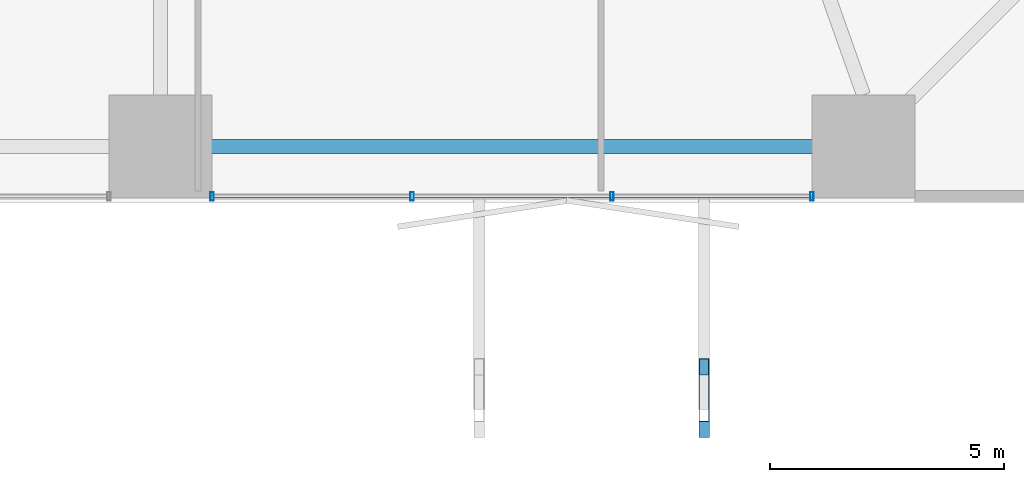
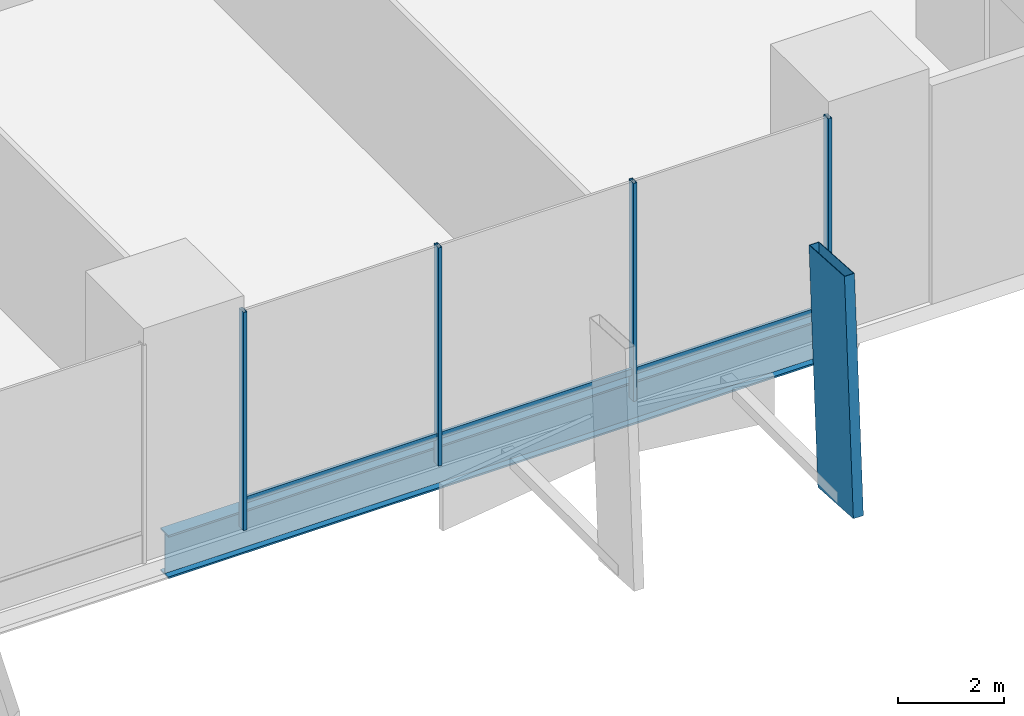
# One storey, part 6 of 24: 8 members, 1 beam, 1 element without a shape of its own.
"""IFC4 building model written with IfcOpenShell, lengths in metres."""

import ifcopenshell
import ifcopenshell.guid

model = None  # the IFC model being written
_history = None  # IfcOwnerHistory: only IFC2X3 demands one
_inside = {}  # id of a spatial element -> (the spatial element, [elements in it])
_under = {}  # id of a project, library or spatial element -> (it, [spatial elements below it])
_declared = {}  # id of a project -> (the project, [libraries it declares])
_typed = {}  # id of a type object -> (the type object, [elements of that type])
_made_of = {}  # id of a material, layer set ... -> (it, [elements and type objects made of it])


def new_model(schema):
    """Start an empty IFC model of exactly this schema.

    Asked for "IFC4X3", IfcOpenShell would pick the latest addendum, in which some entities
    have other attributes; the version numbers below select the first issue.
    IFC2X3 requires an IfcOwnerHistory on every rooted entity: one is made here for all.
    """
    global model, _history
    if schema == "IFC4X3":
        model = ifcopenshell.file(schema_version=(4, 3, 0, 0))
    else:
        model = ifcopenshell.file(schema=schema)
    _inside.clear()
    _under.clear()
    _declared.clear()
    _typed.clear()
    _made_of.clear()
    _history = None
    if model.schema == "IFC2X3":
        org = make("IfcOrganization", Name="unknown")
        user = make(
            "IfcPersonAndOrganization",
            ThePerson=make("IfcPerson", FamilyName="unknown"),
            TheOrganization=org,
        )
        app = make(
            "IfcApplication",
            ApplicationDeveloper=org,
            Version="unknown",
            ApplicationFullName="unknown",
            ApplicationIdentifier="unknown",
        )
        _history = make(
            "IfcOwnerHistory",
            OwningUser=user,
            OwningApplication=app,
            ChangeAction="ADDED",
            CreationDate=0,
        )
    return model


def make(cls, **values):
    """One entity of the class cls with the attributes given. An attribute that is None is left unset."""
    return model.create_entity(
        cls, **{name: value for name, value in values.items() if value is not None}
    )


def rooted(cls, **values):
    """An entity with a GlobalId (a new one), such as an element, a storey or a relation."""
    return make(cls, GlobalId=ifcopenshell.guid.new(), OwnerHistory=_history, **values)


def si_unit(unit_type, name, prefix=None):
    """IfcSIUnit, for example si_unit("LENGTHUNIT", "METRE", prefix="MILLI")."""
    return make("IfcSIUnit", UnitType=unit_type, Prefix=prefix, Name=name)


def assignment(units):
    """IfcUnitAssignment: the units of a project."""
    return None if units is None else make("IfcUnitAssignment", Units=units)


def point(xyz):
    """IfcCartesianPoint."""
    return None if xyz is None else make("IfcCartesianPoint", Coordinates=xyz)


def direction(xyz):
    """IfcDirection."""
    return None if xyz is None else make("IfcDirection", DirectionRatios=xyz)


def frame(location, z_axis=None, x_axis=None):
    """IfcAxis2Placement3D, a coordinate frame: its origin and axes. An axis left out is left unset."""
    return make(
        "IfcAxis2Placement3D",
        Location=point(location),
        Axis=direction(z_axis),
        RefDirection=direction(x_axis),
    )


def frame_2d(location, x_axis=None):
    """IfcAxis2Placement2D, a coordinate frame in the plane: its origin and x axis."""
    return make(
        "IfcAxis2Placement2D", Location=point(location), RefDirection=direction(x_axis)
    )


def origin():
    """The frame at (0, 0, 0) with its axes left unset."""
    return frame((0.0, 0.0, 0.0))


def origin_2d():
    """The frame at (0, 0) in the plane with its x axis left unset."""
    return frame_2d((0.0, 0.0))


def place(relative_to, where):
    """IfcLocalPlacement: puts the frame where relative to a parent placement (None: the world)."""
    return make(
        "IfcLocalPlacement", PlacementRelTo=relative_to, RelativePlacement=where
    )


def context(
    kind, dimensions, precision=None, world=None, true_north=None, identifier=None
):
    """IfcGeometricRepresentationContext, for example the 3D "Model" context."""
    return make(
        "IfcGeometricRepresentationContext",
        ContextIdentifier=identifier,
        ContextType=kind,
        CoordinateSpaceDimension=dimensions,
        Precision=precision,
        WorldCoordinateSystem=world,
        TrueNorth=true_north,
    )


def subcontext(parent, identifier, kind, view, scale=None):
    """IfcGeometricRepresentationSubContext, for example "Body" below "Model"."""
    return make(
        "IfcGeometricRepresentationSubContext",
        ContextIdentifier=identifier,
        ContextType=kind,
        ParentContext=parent,
        TargetScale=scale,
        TargetView=view,
    )


def project(units=None, contexts=None):
    """IfcProject with its units and contexts."""
    return rooted(
        "IfcProject",
        Name="project",
        RepresentationContexts=contexts,
        UnitsInContext=assignment(units),
    )


def spatial(cls, under=None, at=None, **own):
    """A site, building, storey or space (cls), placed at a placement, below another one or the project."""
    s = rooted(cls, ObjectPlacement=at, **own)
    if under is not None:
        _under.setdefault(under.id(), (under, []))[1].append(s)
    return s


def profile(cls, at=None, kind="AREA", **sizes):
    """A parametric profile (cls). Its sizes go by their IFC names, for example OverallWidth=200.0."""
    return make(cls, ProfileType=kind, Position=at, **sizes)


def hollow_rectangle(**sizes):
    """IfcRectangleHollowProfileDef."""
    return profile("IfcRectangleHollowProfileDef", **sizes)


def i_section(**sizes):
    """IfcIShapeProfileDef."""
    return profile("IfcIShapeProfileDef", **sizes)


def extrude(swept, where, along, depth):
    """IfcExtrudedAreaSolid: the profile swept, set in the frame where, extruded along a direction by depth."""
    return make(
        "IfcExtrudedAreaSolid",
        SweptArea=swept,
        Position=where,
        ExtrudedDirection=direction(along),
        Depth=depth,
    )


def shape(context_of_items, identifier, shape_type, items):
    """IfcShapeRepresentation: the items that make up one representation, for example the "Body"."""
    return make(
        "IfcShapeRepresentation",
        ContextOfItems=context_of_items,
        RepresentationIdentifier=identifier,
        RepresentationType=shape_type,
        Items=items,
    )


def material(Name=None, Category=None):
    """IfcMaterial."""
    return make("IfcMaterial", Name=Name, Category=Category)


def layer(
    of_material, thickness, ventilated=None, Name=None, Category=None, Priority=None
):
    """IfcMaterialLayer: one layer of a wall or slab, of a material (None: an air gap)."""
    return make(
        "IfcMaterialLayer",
        Material=of_material,
        LayerThickness=thickness,
        IsVentilated=ventilated,
        Name=Name,
        Category=Category,
        Priority=Priority,
    )


def layer_set(layers, Name=None):
    """IfcMaterialLayerSet."""
    return make("IfcMaterialLayerSet", MaterialLayers=layers, LayerSetName=Name)


def material_profile(
    of_material, cross_section, Name=None, Category=None, Priority=None
):
    """IfcMaterialProfile: a cross section and its material."""
    return make(
        "IfcMaterialProfile",
        Name=Name,
        Material=of_material,
        Profile=cross_section,
        Priority=Priority,
        Category=Category,
    )


def profile_set(profiles, Name=None, composite=None):
    """IfcMaterialProfileSet."""
    return make(
        "IfcMaterialProfileSet",
        Name=Name,
        MaterialProfiles=profiles,
        CompositeProfile=composite,
    )


def made_of(thing, what):
    """Note that an element or type object is made of a material, layer set ...; save() writes the relation."""
    if what is not None:
        _made_of.setdefault(what.id(), (what, []))[1].append(thing)
    return thing


def type_object(cls, material=None, **own):
    """A type object (cls), such as IfcWallType, which elements share."""
    return made_of(rooted(cls, **own), material)


def element(
    cls,
    number,
    at=None,
    inside=None,
    cuts=None,
    type_object=None,
    material=None,
    context=None,
    identifier="Body",
    shape_type=None,
    held_by="IfcProductDefinitionShape",
    body=None,
    shapes=None,
    **own,
):
    """One element of the class cls, such as IfcWall. Its Tag is "e" and its number.

    at: its placement. inside: the storey or other place that contains it. cuts: it is an
    opening in that element (IfcRelVoidsElement). A single representation is given by context,
    identifier, shape_type and body (its items); several are given by shapes. held_by: the class
    of the entity that holds the representations. save() writes the other relations.
    """
    e = rooted(cls, Tag="e%d" % number, ObjectPlacement=at, **own)
    if body is not None:
        shapes = [shape(context, identifier, shape_type, body)]
    if shapes is not None:
        e.Representation = make(held_by, Representations=shapes)
    if inside is not None:
        _inside.setdefault(inside.id(), (inside, []))[1].append(e)
    if cuts is not None:
        rooted(
            "IfcRelVoidsElement", RelatingBuildingElement=cuts, RelatedOpeningElement=e
        )
    if type_object is not None:
        _typed.setdefault(type_object.id(), (type_object, []))[1].append(e)
    return made_of(e, material)


def aggregate(whole, parts):
    """IfcRelAggregates: a whole, such as a stair, and the parts it consists of."""
    return rooted("IfcRelAggregates", RelatingObject=whole, RelatedObjects=parts)


def save(model, path):
    """Write the relations noted so far, then the file.

    IfcRelAggregates (storeys below a building ...), IfcRelContainedInSpatialStructure (elements
    in a storey), IfcRelDefinesByType, IfcRelAssociatesMaterial and IfcRelDeclares: one each for
    every whole, place, type object, material and project.
    """
    for whole, parts in _under.values():
        aggregate(whole, parts)
    for where, things in _inside.values():
        rooted(
            "IfcRelContainedInSpatialStructure",
            RelatedElements=things,
            RelatingStructure=where,
        )
    for kind, things in _typed.values():
        rooted("IfcRelDefinesByType", RelatedObjects=things, RelatingType=kind)
    for what, things in _made_of.values():
        rooted("IfcRelAssociatesMaterial", RelatedObjects=things, RelatingMaterial=what)
    for by, libraries in _declared.values():
        rooted("IfcRelDeclares", RelatingContext=by, RelatedDefinitions=libraries)
    model.write(path)


model = new_model("IFC4")

# Units and contexts
model_context = context("Model", 3, precision=1e-05, world=origin(), true_north=direction((0.0, 1.0)))
body_context = subcontext(model_context, "Body", "Model", "MODEL_VIEW")
ifc_project = project(units=[si_unit("LENGTHUNIT", "METRE"), si_unit("AREAUNIT", "SQUARE_METRE"), si_unit("VOLUMEUNIT", "CUBIC_METRE"), si_unit("PLANEANGLEUNIT", "RADIAN"), si_unit("MASSUNIT", "GRAM", prefix="KILO")], contexts=[model_context])

# Site, building, storey
site_placement = place(None, origin())
site = spatial("IfcSite", under=ifc_project, at=site_placement, CompositionType="ELEMENT")
building_placement = place(site_placement, origin())
building = spatial("IfcBuilding", under=site, at=building_placement, Name="Belovzor Exchange Tower", CompositionType="ELEMENT")
storey_placement = place(building_placement, frame((0.0, 0.0, 13.800048828125)))
storey = spatial("IfcBuildingStorey", under=building, at=storey_placement, Name="L03", CompositionType="ELEMENT", Elevation=13.800048828125)

# Member
ifc_material_1 = material(Name="Extruded Architectural Terracotta on Steel S355 Carrier", Category="masonry")
ifc_material_profile_1 = material_profile(ifc_material_1, hollow_rectangle(XDim=0.219970703125, YDim=1.35009765625, WallThickness=0.013916015625, at=origin_2d()))
ifc_profile_set_1 = profile_set([ifc_material_profile_1], Name="Extruded Architectural Terracotta on Steel S355 Carrier")
member_type_1 = type_object("IfcMemberType", Name="Base Arc Sweeping Terracotta Pylon Fin 1450", PredefinedType="USERDEFINED", material=ifc_profile_set_1)
member_1_placement = place(storey_placement, frame((40.39990234375, -3.739990234375, -0.35009765625), z_axis=(0.0, 0.062448514419, 0.998048186736), x_axis=(-1.0, 0.0, 0.0)))
element("IfcMember", 1, at=member_1_placement, inside=storey, type_object=member_type_1, Name="FIN-TC145 Terracotta Facade Fin L03 S4", ObjectType="FIN", PredefinedType="USERDEFINED", context=body_context, shape_type="SweptSolid", body=[
    extrude(hollow_rectangle(XDim=0.219970703125, YDim=1.35009765625, WallThickness=0.013916015625, at=origin_2d()), origin(), (0.0, 0.0, 1.0), 5.41064453125),
])

# Beam
ifc_material_2 = material(Name="Steel S460", Category="steel")
ifc_material_profile_2 = material_profile(ifc_material_2, i_section(OverallWidth=0.300048828125, OverallDepth=1.0, WebThickness=0.02099609375, FlangeThickness=0.0400390625, at=origin_2d()))
ifc_profile_set_2 = profile_set([ifc_material_profile_2], Name="Steel S460")
beam_type = type_object("IfcBeamType", Name="Podium Exchange Hall Ring Girder HEM 1000", PredefinedType="BEAM", material=ifc_profile_set_2)
beam_placement = place(storey_placement, frame((28.800048828125, 1.800048828125, -0.85009765625), z_axis=(1.0, 0.0, 0.0), x_axis=(0.0, 1.0, 0.0)))
element("IfcBeam", 2, at=beam_placement, inside=storey, type_object=beam_type, Name="PG-1 Podium Exchange Hall Ring Girder HEM 1000", PredefinedType="BEAM", context=body_context, shape_type="SweptSolid", body=[
    extrude(i_section(OverallWidth=0.300048828125, OverallDepth=1.0, WebThickness=0.02099609375, FlangeThickness=0.0400390625, at=origin_2d()), origin(), (0.0, 0.0, 1.0), 15.0),
])

# Curtain wall, members
ifc_material_3 = material(Name="Anodised Aluminium Framing", Category="aluminium")
ifc_layer = layer(ifc_material_3, 0.219970703125)
ifc_layer_set = layer_set([ifc_layer], Name="Anodised Aluminium Framing")
curtain_wall_type = type_object("IfcCurtainWallType", Name="Podium Clear-Span Exchange Hall Unitised Curtain Wall", PredefinedType="NOTDEFINED", material=ifc_layer_set)
curtain_wall_placement = place(storey_placement, origin())
curtain_wall = element("IfcCurtainWall", 3, at=curtain_wall_placement, inside=storey, type_object=curtain_wall_type, Name="CW1 Podium Clear-Span Exchange Hall Unitised Curtain Wall L03", PredefinedType="NOTDEFINED")
ifc_material_4 = material(Name="Steel S355", Category="steel")
ifc_material_profile_3 = material_profile(ifc_material_4, hollow_rectangle(XDim=0.074951171875, YDim=0.179931640625, WallThickness=0.0048828125, at=origin_2d()))
ifc_profile_set_3 = profile_set([ifc_material_profile_3], Name="Steel S355")
member_type_2 = type_object("IfcMemberType", Name="Thermally Broken Curtain Wall Mullion 180x75", PredefinedType="MULLION", material=ifc_profile_set_3)
member_2_placement = place(storey_placement, frame((42.699951171875, 0.72998046875, 0.0), z_axis=(0.0, 0.0, 1.0), x_axis=(-1.0, 0.0, 0.0)))
member_2 = element("IfcMember", 4, at=member_2_placement, type_object=member_type_2, Name="CW-M180 Curtain Wall Mullion 1", PredefinedType="MULLION", context=body_context, shape_type="SweptSolid", body=[
    extrude(hollow_rectangle(XDim=0.074951171875, YDim=0.179931640625, WallThickness=0.0048828125, at=origin_2d()), origin(), (0.0, 0.0, 1.0), 5.050048828125),
])
member_3_placement = place(storey_placement, frame((38.43310546875, 0.72998046875, 0.0), z_axis=(0.0, 0.0, 1.0), x_axis=(-1.0, 0.0, 0.0)))
member_3 = element("IfcMember", 5, at=member_3_placement, type_object=member_type_2, Name="CW-M180 Curtain Wall Mullion 2", PredefinedType="MULLION", context=body_context, shape_type="SweptSolid", body=[
    extrude(hollow_rectangle(XDim=0.074951171875, YDim=0.179931640625, WallThickness=0.0048828125, at=origin_2d()), origin(), (0.0, 0.0, 1.0), 5.050048828125),
])
member_4_placement = place(storey_placement, frame((34.1669921875, 0.72998046875, 0.0), z_axis=(0.0, 0.0, 1.0), x_axis=(-1.0, 0.0, 0.0)))
member_4 = element("IfcMember", 6, at=member_4_placement, type_object=member_type_2, Name="CW-M180 Curtain Wall Mullion 3", PredefinedType="MULLION", context=body_context, shape_type="SweptSolid", body=[
    extrude(hollow_rectangle(XDim=0.074951171875, YDim=0.179931640625, WallThickness=0.0048828125, at=origin_2d()), origin(), (0.0, 0.0, 1.0), 5.050048828125),
])
member_5_placement = place(storey_placement, frame((29.89990234375, 0.72998046875, 0.0), z_axis=(0.0, 0.0, 1.0), x_axis=(-1.0, 0.0, 0.0)))
member_5 = element("IfcMember", 7, at=member_5_placement, type_object=member_type_2, Name="CW-M180 Curtain Wall Mullion 4", PredefinedType="MULLION", context=body_context, shape_type="SweptSolid", body=[
    extrude(hollow_rectangle(XDim=0.074951171875, YDim=0.179931640625, WallThickness=0.0048828125, at=origin_2d()), origin(), (0.0, 0.0, 1.0), 5.050048828125),
])
ifc_material_5 = material(Name="Steel S355", Category="steel")
ifc_material_profile_4 = material_profile(ifc_material_5, hollow_rectangle(XDim=0.06005859375, YDim=0.14990234375, WallThickness=0.00390625, at=origin_2d()))
ifc_profile_set_4 = profile_set([ifc_material_profile_4], Name="Steel S355")
member_type_3 = type_object("IfcMemberType", Name="Thermally Broken Curtain Wall Transom 150x60", PredefinedType="USERDEFINED", material=ifc_profile_set_4)
member_6_placement = place(storey_placement, frame((42.69189453125, 0.72998046875, 0.64990234375), z_axis=(-1.0, 0.0, 0.0), x_axis=(0.0, -1.0, 0.0)))
member_6 = element("IfcMember", 8, at=member_6_placement, type_object=member_type_3, Name="CW-T150 Curtain Wall Transom 1", ObjectType="TRANSOM", PredefinedType="USERDEFINED", context=body_context, shape_type="SweptSolid", body=[
    extrude(hollow_rectangle(XDim=0.06005859375, YDim=0.14990234375, WallThickness=0.00390625, at=origin_2d()), origin(), (0.0, 0.0, 1.0), 4.2509765625),
])
member_7_placement = place(storey_placement, frame((38.425048828125, 0.72998046875, 0.64990234375), z_axis=(-1.0, 0.0, 0.0), x_axis=(0.0, -1.0, 0.0)))
member_7 = element("IfcMember", 9, at=member_7_placement, type_object=member_type_3, Name="CW-T150 Curtain Wall Transom 2", ObjectType="TRANSOM", PredefinedType="USERDEFINED", context=body_context, shape_type="SweptSolid", body=[
    extrude(hollow_rectangle(XDim=0.06005859375, YDim=0.14990234375, WallThickness=0.00390625, at=origin_2d()), origin(), (0.0, 0.0, 1.0), 4.25),
])
member_8_placement = place(storey_placement, frame((34.158935546875, 0.72998046875, 0.64990234375), z_axis=(-1.0, 0.0, 0.0), x_axis=(0.0, -1.0, 0.0)))
member_8 = element("IfcMember", 10, at=member_8_placement, type_object=member_type_3, Name="CW-T150 Curtain Wall Transom 3", ObjectType="TRANSOM", PredefinedType="USERDEFINED", context=body_context, shape_type="SweptSolid", body=[
    extrude(hollow_rectangle(XDim=0.06005859375, YDim=0.14990234375, WallThickness=0.00390625, at=origin_2d()), origin(), (0.0, 0.0, 1.0), 4.2509765625),
])
aggregate(curtain_wall, [member_2, member_3, member_4, member_5, member_6, member_7, member_8])

save(model, "model.ifc")
